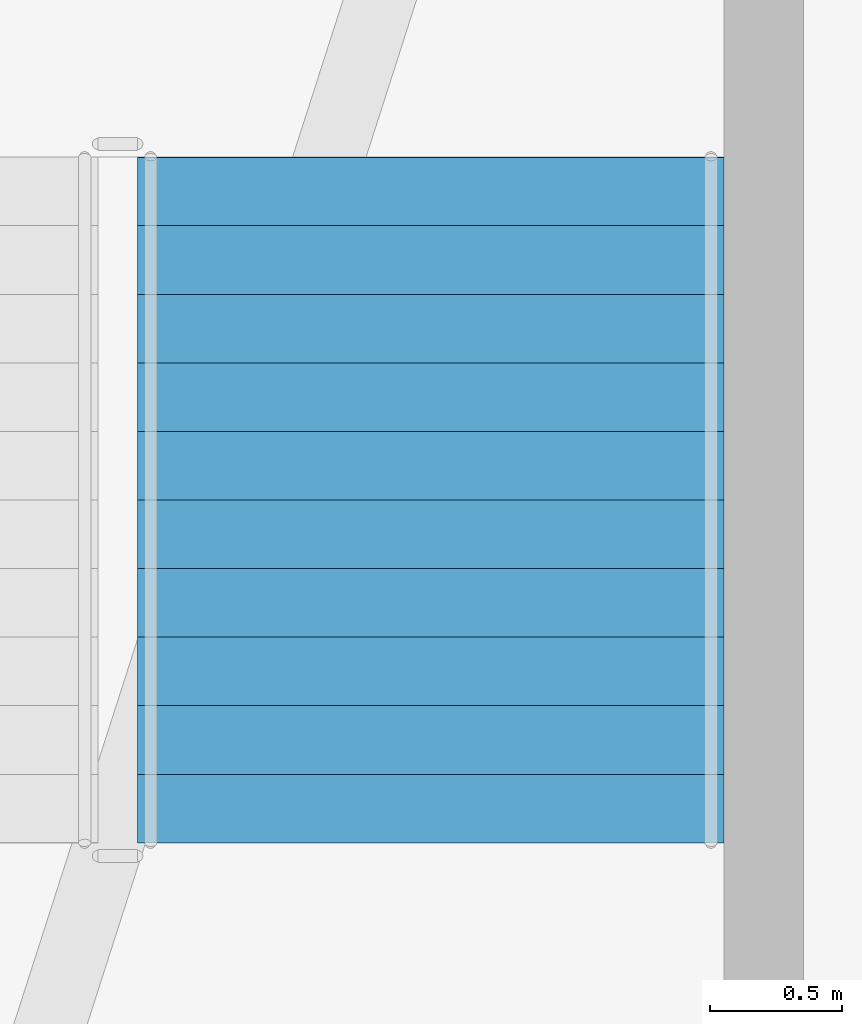
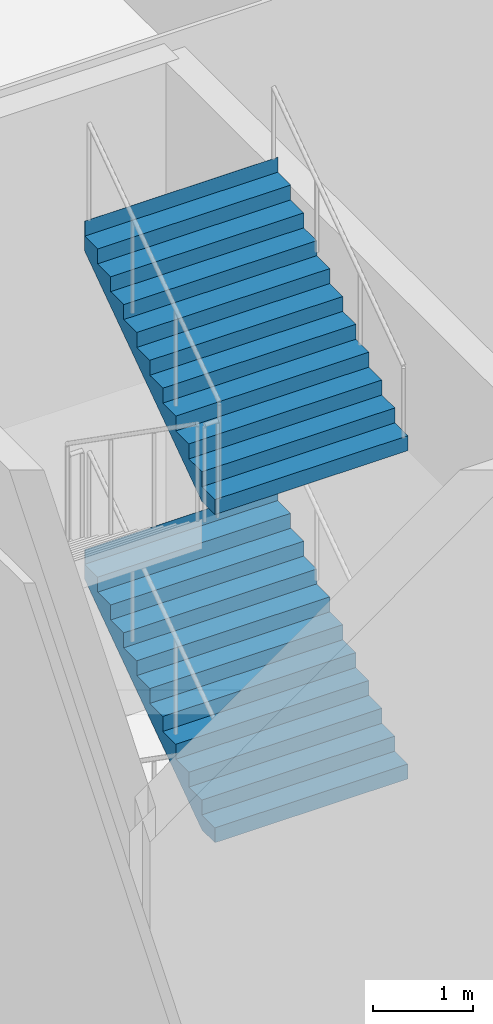
# One storey, part 22 of 36: 2 stair flights, 1 element without a shape of its own.
"""IFC4 building model written with IfcOpenShell, lengths in metres."""

from ifc_helpers import new_model, si_unit, direction, frame, origin, place, context, subcontext, project, spatial, triangles, material, type_object, element, aggregate, save


model = new_model("IFC4")

# Units and contexts
model_context = context("Model", 3, precision=1e-05, world=origin(), true_north=direction((0.0, 1.0)))
body_context = subcontext(model_context, "Body", "Model", "MODEL_VIEW")
ifc_project = project(units=[si_unit("LENGTHUNIT", "METRE"), si_unit("AREAUNIT", "SQUARE_METRE"), si_unit("VOLUMEUNIT", "CUBIC_METRE"), si_unit("PLANEANGLEUNIT", "RADIAN"), si_unit("MASSUNIT", "GRAM", prefix="KILO")], contexts=[model_context])

# Site, building, storey
site_placement = place(None, origin())
site = spatial("IfcSite", under=ifc_project, at=site_placement, CompositionType="ELEMENT")
building_placement = place(site_placement, origin())
building = spatial("IfcBuilding", under=site, at=building_placement, Name="Sahrelin Media Tower", CompositionType="ELEMENT")
storey_placement = place(building_placement, origin())
storey = spatial("IfcBuildingStorey", under=building, at=storey_placement, Name="L00", CompositionType="ELEMENT", Elevation=0.0)

# Stair, stair flights
ifc_material = material(Name="Concrete C40/50", Category="concrete")
stair_type = type_object("IfcStairType", Name="Podium stair 2225", PredefinedType="HALF_TURN_STAIR", material=ifc_material)
stair_placement = place(storey_placement, origin())
stair = element("IfcStair", 1, at=stair_placement, inside=storey, type_object=stair_type, Name="L00 Podium stair PS3", PredefinedType="HALF_TURN_STAIR")
stair_flight_type = type_object("IfcStairFlightType", Name="Stair flight 2225", PredefinedType="STRAIGHT", material=ifc_material)
stair_flight_1_placement = place(storey_placement, frame((-9.46240234375, -33.22509765625, 2.0), z_axis=(0.0, 0.0, 1.0), x_axis=(0.0, 1.0, 0.0)))
stair_flight_1 = element("IfcStairFlight", 2, at=stair_flight_1_placement, type_object=stair_flight_type, Name="PS3 flight 2", NumberOfRisers=11, NumberOfTreads=10, PredefinedType="STRAIGHT", RiserHeight=0.181818182, TreadLength=0.26, context=body_context, shape_type="Tessellation", body=[
    triangles([(0.261474609375, 1.112548828125, 0.0), (0.261474609375, 0.794677734375, 0.0), (0.261474609375, 0.476806640625, 0.0), (0.261474609375, 0.158935546875, 0.0), (0.261474609375, -0.158935546875, 0.0), (0.261474609375, -0.476806640625, 0.0), (0.261474609375, -0.794677734375, 0.0), (0.261474609375, -1.112548828125, 0.0), (2.60009765625, 1.112548828125, 1.63525390625), (2.60009765625, 0.794677734375, 1.63525390625), (2.60009765625, 0.476806640625, 1.63525390625), (2.60009765625, 0.158935546875, 1.63525390625), (2.60009765625, -0.158935546875, 1.63525390625), (2.60009765625, -0.476806640625, 1.63525390625), (2.60009765625, -0.794677734375, 1.63525390625), (2.60009765625, -1.112548828125, 1.63525390625), (2.60009765625, 1.112548828125, 2.0), (2.60009765625, 0.794677734375, 2.0), (2.60009765625, 0.476806640625, 2.0), (2.60009765625, 0.158935546875, 2.0), (2.60009765625, -0.158935546875, 2.0), (2.60009765625, -0.476806640625, 2.0), (2.60009765625, -0.794677734375, 2.0), (2.60009765625, -1.112548828125, 2.0), (2.597900390625, 1.112548828125, 2.0), (2.597900390625, 0.794677734375, 2.0), (2.597900390625, 0.476806640625, 2.0), (2.597900390625, 0.158935546875, 2.0), (2.597900390625, -0.158935546875, 2.0), (2.597900390625, -0.476806640625, 2.0), (2.597900390625, -0.794677734375, 2.0), (2.597900390625, -1.112548828125, 2.0), (2.597900390625, 1.112548828125, 1.818115234375), (2.597900390625, 0.794677734375, 1.818115234375), (2.597900390625, 0.476806640625, 1.818115234375), (2.597900390625, 0.158935546875, 1.818115234375), (2.597900390625, -0.158935546875, 1.818115234375), (2.597900390625, -0.476806640625, 1.818115234375), (2.597900390625, -0.794677734375, 1.818115234375), (2.597900390625, -1.112548828125, 1.818115234375), (2.340087890625, 1.112548828125, 1.818115234375), (2.340087890625, 0.794677734375, 1.818115234375), (2.340087890625, 0.476806640625, 1.818115234375), (2.340087890625, 0.158935546875, 1.818115234375), (2.340087890625, -0.158935546875, 1.818115234375), (2.340087890625, -0.476806640625, 1.818115234375), (2.340087890625, -0.794677734375, 1.818115234375), (2.340087890625, -1.112548828125, 1.818115234375), (2.340087890625, 1.112548828125, 1.636474609375), (2.340087890625, 0.794677734375, 1.636474609375), (2.340087890625, 0.476806640625, 1.636474609375), (2.340087890625, 0.158935546875, 1.636474609375), (2.340087890625, -0.158935546875, 1.636474609375), (2.340087890625, -0.476806640625, 1.636474609375), (2.340087890625, -0.794677734375, 1.636474609375), (2.340087890625, -1.112548828125, 1.636474609375), (2.080078125, 1.112548828125, 1.636474609375), (2.080078125, 0.794677734375, 1.636474609375), (2.080078125, 0.476806640625, 1.636474609375), (2.080078125, 0.158935546875, 1.636474609375), (2.080078125, -0.158935546875, 1.636474609375), (2.080078125, -0.476806640625, 1.636474609375), (2.080078125, -0.794677734375, 1.636474609375), (2.080078125, -1.112548828125, 1.636474609375), (2.080078125, 1.112548828125, 1.45458984375), (2.080078125, 0.794677734375, 1.45458984375), (2.080078125, 0.476806640625, 1.45458984375), (2.080078125, 0.158935546875, 1.45458984375), (2.080078125, -0.158935546875, 1.45458984375), (2.080078125, -0.476806640625, 1.45458984375), (2.080078125, -0.794677734375, 1.45458984375), (2.080078125, -1.112548828125, 1.45458984375), (1.820068359375, 1.112548828125, 1.45458984375), (1.820068359375, 0.794677734375, 1.45458984375), (1.820068359375, 0.476806640625, 1.45458984375), (1.820068359375, 0.158935546875, 1.45458984375), (1.820068359375, -0.158935546875, 1.45458984375), (1.820068359375, -0.476806640625, 1.45458984375), (1.820068359375, -0.794677734375, 1.45458984375), (1.820068359375, -1.112548828125, 1.45458984375), (1.820068359375, 1.112548828125, 1.272705078125), (1.820068359375, 0.794677734375, 1.272705078125), (1.820068359375, 0.476806640625, 1.272705078125), (1.820068359375, 0.158935546875, 1.272705078125), (1.820068359375, -0.158935546875, 1.272705078125), (1.820068359375, -0.476806640625, 1.272705078125), (1.820068359375, -0.794677734375, 1.272705078125), (1.820068359375, -1.112548828125, 1.272705078125), (1.56005859375, 1.112548828125, 1.272705078125), (1.56005859375, 0.794677734375, 1.272705078125), (1.56005859375, 0.476806640625, 1.272705078125), (1.56005859375, 0.158935546875, 1.272705078125), (1.56005859375, -0.158935546875, 1.272705078125), (1.56005859375, -0.476806640625, 1.272705078125), (1.56005859375, -0.794677734375, 1.272705078125), (1.56005859375, -1.112548828125, 1.272705078125), (1.56005859375, 1.112548828125, 1.0908203125), (1.56005859375, 0.794677734375, 1.0908203125), (1.56005859375, 0.476806640625, 1.0908203125), (1.56005859375, 0.158935546875, 1.0908203125), (1.56005859375, -0.158935546875, 1.0908203125), (1.56005859375, -0.476806640625, 1.0908203125), (1.56005859375, -0.794677734375, 1.0908203125), (1.56005859375, -1.112548828125, 1.0908203125), (1.300048828125, 1.112548828125, 1.0908203125), (1.300048828125, 0.794677734375, 1.0908203125), (1.300048828125, 0.476806640625, 1.0908203125), (1.300048828125, 0.158935546875, 1.0908203125), (1.300048828125, -0.158935546875, 1.0908203125), (1.300048828125, -0.476806640625, 1.0908203125), (1.300048828125, -0.794677734375, 1.0908203125), (1.300048828125, -1.112548828125, 1.0908203125), (1.300048828125, 1.112548828125, 0.9091796875), (1.300048828125, 0.794677734375, 0.9091796875), (1.300048828125, 0.476806640625, 0.9091796875), (1.300048828125, 0.158935546875, 0.9091796875), (1.300048828125, -0.158935546875, 0.9091796875), (1.300048828125, -0.476806640625, 0.9091796875), (1.300048828125, -0.794677734375, 0.9091796875), (1.300048828125, -1.112548828125, 0.9091796875), (1.0400390625, 1.112548828125, 0.9091796875), (1.0400390625, 0.794677734375, 0.9091796875), (1.0400390625, 0.476806640625, 0.9091796875), (1.0400390625, 0.158935546875, 0.9091796875), (1.0400390625, -0.158935546875, 0.9091796875), (1.0400390625, -0.476806640625, 0.9091796875), (1.0400390625, -0.794677734375, 0.9091796875), (1.0400390625, -1.112548828125, 0.9091796875), (1.0400390625, 1.112548828125, 0.727294921875), (1.0400390625, 0.794677734375, 0.727294921875), (1.0400390625, 0.476806640625, 0.727294921875), (1.0400390625, 0.158935546875, 0.727294921875), (1.0400390625, -0.158935546875, 0.727294921875), (1.0400390625, -0.476806640625, 0.727294921875), (1.0400390625, -0.794677734375, 0.727294921875), (1.0400390625, -1.112548828125, 0.727294921875), (0.780029296875, 1.112548828125, 0.727294921875), (0.780029296875, 0.794677734375, 0.727294921875), (0.780029296875, 0.476806640625, 0.727294921875), (0.780029296875, 0.158935546875, 0.727294921875), (0.780029296875, -0.158935546875, 0.727294921875), (0.780029296875, -0.476806640625, 0.727294921875), (0.780029296875, -0.794677734375, 0.727294921875), (0.780029296875, -1.112548828125, 0.727294921875), (0.780029296875, 1.112548828125, 0.54541015625), (0.780029296875, 0.794677734375, 0.54541015625), (0.780029296875, 0.476806640625, 0.54541015625), (0.780029296875, 0.158935546875, 0.54541015625), (0.780029296875, -0.158935546875, 0.54541015625), (0.780029296875, -0.476806640625, 0.54541015625), (0.780029296875, -0.794677734375, 0.54541015625), (0.780029296875, -1.112548828125, 0.54541015625), (0.52001953125, 1.112548828125, 0.54541015625), (0.52001953125, 0.794677734375, 0.54541015625), (0.52001953125, 0.476806640625, 0.54541015625), (0.52001953125, 0.158935546875, 0.54541015625), (0.52001953125, -0.158935546875, 0.54541015625), (0.52001953125, -0.476806640625, 0.54541015625), (0.52001953125, -0.794677734375, 0.54541015625), (0.52001953125, -1.112548828125, 0.54541015625), (0.52001953125, 1.112548828125, 0.363525390625), (0.52001953125, 0.794677734375, 0.363525390625), (0.52001953125, 0.476806640625, 0.363525390625), (0.52001953125, 0.158935546875, 0.363525390625), (0.52001953125, -0.158935546875, 0.363525390625), (0.52001953125, -0.476806640625, 0.363525390625), (0.52001953125, -0.794677734375, 0.363525390625), (0.52001953125, -1.112548828125, 0.363525390625), (0.260009765625, 1.112548828125, 0.363525390625), (0.260009765625, 0.794677734375, 0.363525390625), (0.260009765625, 0.476806640625, 0.363525390625), (0.260009765625, 0.158935546875, 0.363525390625), (0.260009765625, -0.158935546875, 0.363525390625), (0.260009765625, -0.476806640625, 0.363525390625), (0.260009765625, -0.794677734375, 0.363525390625), (0.260009765625, -1.112548828125, 0.363525390625), (0.260009765625, 1.112548828125, 0.181884765625), (0.260009765625, 0.794677734375, 0.181884765625), (0.260009765625, 0.476806640625, 0.181884765625), (0.260009765625, 0.158935546875, 0.181884765625), (0.260009765625, -0.158935546875, 0.181884765625), (0.260009765625, -0.476806640625, 0.181884765625), (0.260009765625, -0.794677734375, 0.181884765625), (0.260009765625, -1.112548828125, 0.181884765625), (0.0, 1.112548828125, 0.181884765625), (0.0, 0.794677734375, 0.181884765625), (0.0, 0.476806640625, 0.181884765625), (0.0, 0.158935546875, 0.181884765625), (0.0, -0.158935546875, 0.181884765625), (0.0, -0.476806640625, 0.181884765625), (0.0, -0.794677734375, 0.181884765625), (0.0, -1.112548828125, 0.181884765625), (0.0, 1.112548828125, 0.0), (0.0, 0.794677734375, 0.0), (0.0, 0.476806640625, 0.0), (0.0, 0.158935546875, 0.0), (0.0, -0.158935546875, 0.0), (0.0, -0.476806640625, 0.0), (0.0, -0.794677734375, 0.0), (0.0, -1.112548828125, 0.0)], [[1, 9, 10], [1, 10, 2], [2, 10, 11], [2, 11, 3], [3, 11, 12], [3, 12, 4], [4, 12, 13], [4, 13, 5], [5, 13, 14], [5, 14, 6], [6, 14, 15], [6, 15, 7], [7, 15, 16], [7, 16, 8], [9, 17, 18], [9, 18, 10], [10, 18, 19], [10, 19, 11], [11, 19, 20], [11, 20, 12], [12, 20, 21], [12, 21, 13], [13, 21, 22], [13, 22, 14], [14, 22, 23], [14, 23, 15], [15, 23, 24], [15, 24, 16], [17, 25, 26], [17, 26, 18], [18, 26, 27], [18, 27, 19], [19, 27, 28], [19, 28, 20], [20, 28, 29], [20, 29, 21], [21, 29, 30], [21, 30, 22], [22, 30, 31], [22, 31, 23], [23, 31, 32], [23, 32, 24], [25, 33, 34], [25, 34, 26], [26, 34, 35], [26, 35, 27], [27, 35, 36], [27, 36, 28], [28, 36, 37], [28, 37, 29], [29, 37, 38], [29, 38, 30], [30, 38, 39], [30, 39, 31], [31, 39, 40], [31, 40, 32], [33, 41, 42], [33, 42, 34], [34, 42, 43], [34, 43, 35], [35, 43, 44], [35, 44, 36], [36, 44, 45], [36, 45, 37], [37, 45, 46], [37, 46, 38], [38, 46, 47], [38, 47, 39], [39, 47, 48], [39, 48, 40], [41, 49, 50], [41, 50, 42], [42, 50, 51], [42, 51, 43], [43, 51, 52], [43, 52, 44], [44, 52, 53], [44, 53, 45], [45, 53, 54], [45, 54, 46], [46, 54, 55], [46, 55, 47], [47, 55, 56], [47, 56, 48], [49, 57, 58], [49, 58, 50], [50, 58, 59], [50, 59, 51], [51, 59, 60], [51, 60, 52], [52, 60, 61], [52, 61, 53], [53, 61, 62], [53, 62, 54], [54, 62, 63], [54, 63, 55], [55, 63, 64], [55, 64, 56], [57, 65, 66], [57, 66, 58], [58, 66, 67], [58, 67, 59], [59, 67, 68], [59, 68, 60], [60, 68, 69], [60, 69, 61], [61, 69, 70], [61, 70, 62], [62, 70, 71], [62, 71, 63], [63, 71, 72], [63, 72, 64], [65, 73, 74], [65, 74, 66], [66, 74, 75], [66, 75, 67], [67, 75, 76], [67, 76, 68], [68, 76, 77], [68, 77, 69], [69, 77, 78], [69, 78, 70], [70, 78, 79], [70, 79, 71], [71, 79, 80], [71, 80, 72], [73, 81, 82], [73, 82, 74], [74, 82, 83], [74, 83, 75], [75, 83, 84], [75, 84, 76], [76, 84, 85], [76, 85, 77], [77, 85, 86], [77, 86, 78], [78, 86, 87], [78, 87, 79], [79, 87, 88], [79, 88, 80], [81, 89, 90], [81, 90, 82], [82, 90, 91], [82, 91, 83], [83, 91, 92], [83, 92, 84], [84, 92, 93], [84, 93, 85], [85, 93, 94], [85, 94, 86], [86, 94, 95], [86, 95, 87], [87, 95, 96], [87, 96, 88], [89, 97, 98], [89, 98, 90], [90, 98, 99], [90, 99, 91], [91, 99, 100], [91, 100, 92], [92, 100, 101], [92, 101, 93], [93, 101, 102], [93, 102, 94], [94, 102, 103], [94, 103, 95], [95, 103, 104], [95, 104, 96], [97, 105, 106], [97, 106, 98], [98, 106, 107], [98, 107, 99], [99, 107, 108], [99, 108, 100], [100, 108, 109], [100, 109, 101], [101, 109, 110], [101, 110, 102], [102, 110, 111], [102, 111, 103], [103, 111, 112], [103, 112, 104], [105, 113, 114], [105, 114, 106], [106, 114, 115], [106, 115, 107], [107, 115, 116], [107, 116, 108], [108, 116, 117], [108, 117, 109], [109, 117, 118], [109, 118, 110], [110, 118, 119], [110, 119, 111], [111, 119, 120], [111, 120, 112], [113, 121, 122], [113, 122, 114], [114, 122, 123], [114, 123, 115], [115, 123, 124], [115, 124, 116], [116, 124, 125], [116, 125, 117], [117, 125, 126], [117, 126, 118], [118, 126, 127], [118, 127, 119], [119, 127, 128], [119, 128, 120], [121, 129, 130], [121, 130, 122], [122, 130, 131], [122, 131, 123], [123, 131, 132], [123, 132, 124], [124, 132, 133], [124, 133, 125], [125, 133, 134], [125, 134, 126], [126, 134, 135], [126, 135, 127], [127, 135, 136], [127, 136, 128], [129, 137, 138], [129, 138, 130], [130, 138, 139], [130, 139, 131], [131, 139, 140], [131, 140, 132], [132, 140, 141], [132, 141, 133], [133, 141, 142], [133, 142, 134], [134, 142, 143], [134, 143, 135], [135, 143, 144], [135, 144, 136], [137, 145, 146], [137, 146, 138], [138, 146, 147], [138, 147, 139], [139, 147, 148], [139, 148, 140], [140, 148, 149], [140, 149, 141], [141, 149, 150], [141, 150, 142], [142, 150, 151], [142, 151, 143], [143, 151, 152], [143, 152, 144], [145, 153, 154], [145, 154, 146], [146, 154, 155], [146, 155, 147], [147, 155, 156], [147, 156, 148], [148, 156, 157], [148, 157, 149], [149, 157, 158], [149, 158, 150], [150, 158, 159], [150, 159, 151], [151, 159, 160], [151, 160, 152], [153, 161, 162], [153, 162, 154], [154, 162, 163], [154, 163, 155], [155, 163, 164], [155, 164, 156], [156, 164, 165], [156, 165, 157], [157, 165, 166], [157, 166, 158], [158, 166, 167], [158, 167, 159], [159, 167, 168], [159, 168, 160], [161, 169, 170], [161, 170, 162], [162, 170, 171], [162, 171, 163], [163, 171, 172], [163, 172, 164], [164, 172, 173], [164, 173, 165], [165, 173, 174], [165, 174, 166], [166, 174, 175], [166, 175, 167], [167, 175, 176], [167, 176, 168], [169, 177, 178], [169, 178, 170], [170, 178, 179], [170, 179, 171], [171, 179, 180], [171, 180, 172], [172, 180, 181], [172, 181, 173], [173, 181, 182], [173, 182, 174], [174, 182, 183], [174, 183, 175], [175, 183, 184], [175, 184, 176], [177, 185, 186], [177, 186, 178], [178, 186, 187], [178, 187, 179], [179, 187, 188], [179, 188, 180], [180, 188, 189], [180, 189, 181], [181, 189, 190], [181, 190, 182], [182, 190, 191], [182, 191, 183], [183, 191, 192], [183, 192, 184], [185, 193, 194], [185, 194, 186], [186, 194, 195], [186, 195, 187], [187, 195, 196], [187, 196, 188], [188, 196, 197], [188, 197, 189], [189, 197, 198], [189, 198, 190], [190, 198, 199], [190, 199, 191], [191, 199, 200], [191, 200, 192], [193, 1, 2], [193, 2, 194], [194, 2, 3], [194, 3, 195], [195, 3, 4], [195, 4, 196], [196, 4, 5], [196, 5, 197], [197, 5, 6], [197, 6, 198], [198, 6, 7], [198, 7, 199], [199, 7, 8], [199, 8, 200], [184, 192, 200], [177, 193, 185], [184, 168, 176], [177, 169, 161], [168, 152, 160], [161, 153, 145], [152, 136, 144], [145, 137, 129], [136, 120, 128], [129, 121, 113], [120, 104, 112], [113, 105, 97], [104, 88, 96], [97, 89, 81], [88, 72, 80], [81, 73, 65], [72, 56, 64], [65, 57, 49], [56, 40, 48], [49, 41, 33], [40, 24, 32], [33, 25, 17], [200, 8, 184], [193, 177, 1], [40, 16, 24], [33, 17, 9], [168, 184, 8], [161, 1, 177], [56, 16, 40], [49, 33, 9], [152, 168, 8], [145, 1, 161], [72, 16, 56], [65, 49, 9], [136, 152, 8], [129, 1, 145], [88, 16, 72], [81, 65, 9], [120, 136, 8], [113, 1, 129], [104, 16, 88], [97, 81, 9], [8, 16, 120], [1, 113, 9], [120, 16, 104], [113, 97, 9]], closed=True),
])
stair_flight_2_placement = place(storey_placement, frame((-9.46240234375, -33.22509765625, 6.0), z_axis=(0.0, 0.0, 1.0), x_axis=(0.0, 1.0, 0.0)))
stair_flight_2 = element("IfcStairFlight", 3, at=stair_flight_2_placement, type_object=stair_flight_type, Name="PS3 flight 4", NumberOfRisers=11, NumberOfTreads=10, PredefinedType="STRAIGHT", RiserHeight=0.181818182, TreadLength=0.26, context=body_context, shape_type="Tessellation", body=[
    triangles([(0.261474609375, 1.112548828125, 0.0), (0.261474609375, 0.794677734375, 0.0), (0.261474609375, 0.476806640625, 0.0), (0.261474609375, 0.158935546875, 0.0), (0.261474609375, -0.158935546875, 0.0), (0.261474609375, -0.476806640625, 0.0), (0.261474609375, -0.794677734375, 0.0), (0.261474609375, -1.112548828125, 0.0), (2.60009765625, 1.112548828125, 1.63525390625), (2.60009765625, 0.794677734375, 1.63525390625), (2.60009765625, 0.476806640625, 1.63525390625), (2.60009765625, 0.158935546875, 1.63525390625), (2.60009765625, -0.158935546875, 1.63525390625), (2.60009765625, -0.476806640625, 1.63525390625), (2.60009765625, -0.794677734375, 1.63525390625), (2.60009765625, -1.112548828125, 1.63525390625), (2.60009765625, 1.112548828125, 2.0), (2.60009765625, 0.794677734375, 2.0), (2.60009765625, 0.476806640625, 2.0), (2.60009765625, 0.158935546875, 2.0), (2.60009765625, -0.158935546875, 2.0), (2.60009765625, -0.476806640625, 2.0), (2.60009765625, -0.794677734375, 2.0), (2.60009765625, -1.112548828125, 2.0), (2.597900390625, 1.112548828125, 2.0), (2.597900390625, 0.794677734375, 2.0), (2.597900390625, 0.476806640625, 2.0), (2.597900390625, 0.158935546875, 2.0), (2.597900390625, -0.158935546875, 2.0), (2.597900390625, -0.476806640625, 2.0), (2.597900390625, -0.794677734375, 2.0), (2.597900390625, -1.112548828125, 2.0), (2.597900390625, 1.112548828125, 1.818115234375), (2.597900390625, 0.794677734375, 1.818115234375), (2.597900390625, 0.476806640625, 1.818115234375), (2.597900390625, 0.158935546875, 1.818115234375), (2.597900390625, -0.158935546875, 1.818115234375), (2.597900390625, -0.476806640625, 1.818115234375), (2.597900390625, -0.794677734375, 1.818115234375), (2.597900390625, -1.112548828125, 1.818115234375), (2.340087890625, 1.112548828125, 1.818115234375), (2.340087890625, 0.794677734375, 1.818115234375), (2.340087890625, 0.476806640625, 1.818115234375), (2.340087890625, 0.158935546875, 1.818115234375), (2.340087890625, -0.158935546875, 1.818115234375), (2.340087890625, -0.476806640625, 1.818115234375), (2.340087890625, -0.794677734375, 1.818115234375), (2.340087890625, -1.112548828125, 1.818115234375), (2.340087890625, 1.112548828125, 1.636474609375), (2.340087890625, 0.794677734375, 1.636474609375), (2.340087890625, 0.476806640625, 1.636474609375), (2.340087890625, 0.158935546875, 1.636474609375), (2.340087890625, -0.158935546875, 1.636474609375), (2.340087890625, -0.476806640625, 1.636474609375), (2.340087890625, -0.794677734375, 1.636474609375), (2.340087890625, -1.112548828125, 1.636474609375), (2.080078125, 1.112548828125, 1.636474609375), (2.080078125, 0.794677734375, 1.636474609375), (2.080078125, 0.476806640625, 1.636474609375), (2.080078125, 0.158935546875, 1.636474609375), (2.080078125, -0.158935546875, 1.636474609375), (2.080078125, -0.476806640625, 1.636474609375), (2.080078125, -0.794677734375, 1.636474609375), (2.080078125, -1.112548828125, 1.636474609375), (2.080078125, 1.112548828125, 1.45458984375), (2.080078125, 0.794677734375, 1.45458984375), (2.080078125, 0.476806640625, 1.45458984375), (2.080078125, 0.158935546875, 1.45458984375), (2.080078125, -0.158935546875, 1.45458984375), (2.080078125, -0.476806640625, 1.45458984375), (2.080078125, -0.794677734375, 1.45458984375), (2.080078125, -1.112548828125, 1.45458984375), (1.820068359375, 1.112548828125, 1.45458984375), (1.820068359375, 0.794677734375, 1.45458984375), (1.820068359375, 0.476806640625, 1.45458984375), (1.820068359375, 0.158935546875, 1.45458984375), (1.820068359375, -0.158935546875, 1.45458984375), (1.820068359375, -0.476806640625, 1.45458984375), (1.820068359375, -0.794677734375, 1.45458984375), (1.820068359375, -1.112548828125, 1.45458984375), (1.820068359375, 1.112548828125, 1.272705078125), (1.820068359375, 0.794677734375, 1.272705078125), (1.820068359375, 0.476806640625, 1.272705078125), (1.820068359375, 0.158935546875, 1.272705078125), (1.820068359375, -0.158935546875, 1.272705078125), (1.820068359375, -0.476806640625, 1.272705078125), (1.820068359375, -0.794677734375, 1.272705078125), (1.820068359375, -1.112548828125, 1.272705078125), (1.56005859375, 1.112548828125, 1.272705078125), (1.56005859375, 0.794677734375, 1.272705078125), (1.56005859375, 0.476806640625, 1.272705078125), (1.56005859375, 0.158935546875, 1.272705078125), (1.56005859375, -0.158935546875, 1.272705078125), (1.56005859375, -0.476806640625, 1.272705078125), (1.56005859375, -0.794677734375, 1.272705078125), (1.56005859375, -1.112548828125, 1.272705078125), (1.56005859375, 1.112548828125, 1.0908203125), (1.56005859375, 0.794677734375, 1.0908203125), (1.56005859375, 0.476806640625, 1.0908203125), (1.56005859375, 0.158935546875, 1.0908203125), (1.56005859375, -0.158935546875, 1.0908203125), (1.56005859375, -0.476806640625, 1.0908203125), (1.56005859375, -0.794677734375, 1.0908203125), (1.56005859375, -1.112548828125, 1.0908203125), (1.300048828125, 1.112548828125, 1.0908203125), (1.300048828125, 0.794677734375, 1.0908203125), (1.300048828125, 0.476806640625, 1.0908203125), (1.300048828125, 0.158935546875, 1.0908203125), (1.300048828125, -0.158935546875, 1.0908203125), (1.300048828125, -0.476806640625, 1.0908203125), (1.300048828125, -0.794677734375, 1.0908203125), (1.300048828125, -1.112548828125, 1.0908203125), (1.300048828125, 1.112548828125, 0.9091796875), (1.300048828125, 0.794677734375, 0.9091796875), (1.300048828125, 0.476806640625, 0.9091796875), (1.300048828125, 0.158935546875, 0.9091796875), (1.300048828125, -0.158935546875, 0.9091796875), (1.300048828125, -0.476806640625, 0.9091796875), (1.300048828125, -0.794677734375, 0.9091796875), (1.300048828125, -1.112548828125, 0.9091796875), (1.0400390625, 1.112548828125, 0.9091796875), (1.0400390625, 0.794677734375, 0.9091796875), (1.0400390625, 0.476806640625, 0.9091796875), (1.0400390625, 0.158935546875, 0.9091796875), (1.0400390625, -0.158935546875, 0.9091796875), (1.0400390625, -0.476806640625, 0.9091796875), (1.0400390625, -0.794677734375, 0.9091796875), (1.0400390625, -1.112548828125, 0.9091796875), (1.0400390625, 1.112548828125, 0.727294921875), (1.0400390625, 0.794677734375, 0.727294921875), (1.0400390625, 0.476806640625, 0.727294921875), (1.0400390625, 0.158935546875, 0.727294921875), (1.0400390625, -0.158935546875, 0.727294921875), (1.0400390625, -0.476806640625, 0.727294921875), (1.0400390625, -0.794677734375, 0.727294921875), (1.0400390625, -1.112548828125, 0.727294921875), (0.780029296875, 1.112548828125, 0.727294921875), (0.780029296875, 0.794677734375, 0.727294921875), (0.780029296875, 0.476806640625, 0.727294921875), (0.780029296875, 0.158935546875, 0.727294921875), (0.780029296875, -0.158935546875, 0.727294921875), (0.780029296875, -0.476806640625, 0.727294921875), (0.780029296875, -0.794677734375, 0.727294921875), (0.780029296875, -1.112548828125, 0.727294921875), (0.780029296875, 1.112548828125, 0.54541015625), (0.780029296875, 0.794677734375, 0.54541015625), (0.780029296875, 0.476806640625, 0.54541015625), (0.780029296875, 0.158935546875, 0.54541015625), (0.780029296875, -0.158935546875, 0.54541015625), (0.780029296875, -0.476806640625, 0.54541015625), (0.780029296875, -0.794677734375, 0.54541015625), (0.780029296875, -1.112548828125, 0.54541015625), (0.52001953125, 1.112548828125, 0.54541015625), (0.52001953125, 0.794677734375, 0.54541015625), (0.52001953125, 0.476806640625, 0.54541015625), (0.52001953125, 0.158935546875, 0.54541015625), (0.52001953125, -0.158935546875, 0.54541015625), (0.52001953125, -0.476806640625, 0.54541015625), (0.52001953125, -0.794677734375, 0.54541015625), (0.52001953125, -1.112548828125, 0.54541015625), (0.52001953125, 1.112548828125, 0.363525390625), (0.52001953125, 0.794677734375, 0.363525390625), (0.52001953125, 0.476806640625, 0.363525390625), (0.52001953125, 0.158935546875, 0.363525390625), (0.52001953125, -0.158935546875, 0.363525390625), (0.52001953125, -0.476806640625, 0.363525390625), (0.52001953125, -0.794677734375, 0.363525390625), (0.52001953125, -1.112548828125, 0.363525390625), (0.260009765625, 1.112548828125, 0.363525390625), (0.260009765625, 0.794677734375, 0.363525390625), (0.260009765625, 0.476806640625, 0.363525390625), (0.260009765625, 0.158935546875, 0.363525390625), (0.260009765625, -0.158935546875, 0.363525390625), (0.260009765625, -0.476806640625, 0.363525390625), (0.260009765625, -0.794677734375, 0.363525390625), (0.260009765625, -1.112548828125, 0.363525390625), (0.260009765625, 1.112548828125, 0.181884765625), (0.260009765625, 0.794677734375, 0.181884765625), (0.260009765625, 0.476806640625, 0.181884765625), (0.260009765625, 0.158935546875, 0.181884765625), (0.260009765625, -0.158935546875, 0.181884765625), (0.260009765625, -0.476806640625, 0.181884765625), (0.260009765625, -0.794677734375, 0.181884765625), (0.260009765625, -1.112548828125, 0.181884765625), (0.0, 1.112548828125, 0.181884765625), (0.0, 0.794677734375, 0.181884765625), (0.0, 0.476806640625, 0.181884765625), (0.0, 0.158935546875, 0.181884765625), (0.0, -0.158935546875, 0.181884765625), (0.0, -0.476806640625, 0.181884765625), (0.0, -0.794677734375, 0.181884765625), (0.0, -1.112548828125, 0.181884765625), (0.0, 1.112548828125, 0.0), (0.0, 0.794677734375, 0.0), (0.0, 0.476806640625, 0.0), (0.0, 0.158935546875, 0.0), (0.0, -0.158935546875, 0.0), (0.0, -0.476806640625, 0.0), (0.0, -0.794677734375, 0.0), (0.0, -1.112548828125, 0.0)], [[1, 9, 10], [1, 10, 2], [2, 10, 11], [2, 11, 3], [3, 11, 12], [3, 12, 4], [4, 12, 13], [4, 13, 5], [5, 13, 14], [5, 14, 6], [6, 14, 15], [6, 15, 7], [7, 15, 16], [7, 16, 8], [9, 17, 18], [9, 18, 10], [10, 18, 19], [10, 19, 11], [11, 19, 20], [11, 20, 12], [12, 20, 21], [12, 21, 13], [13, 21, 22], [13, 22, 14], [14, 22, 23], [14, 23, 15], [15, 23, 24], [15, 24, 16], [17, 25, 26], [17, 26, 18], [18, 26, 27], [18, 27, 19], [19, 27, 28], [19, 28, 20], [20, 28, 29], [20, 29, 21], [21, 29, 30], [21, 30, 22], [22, 30, 31], [22, 31, 23], [23, 31, 32], [23, 32, 24], [25, 33, 34], [25, 34, 26], [26, 34, 35], [26, 35, 27], [27, 35, 36], [27, 36, 28], [28, 36, 37], [28, 37, 29], [29, 37, 38], [29, 38, 30], [30, 38, 39], [30, 39, 31], [31, 39, 40], [31, 40, 32], [33, 41, 42], [33, 42, 34], [34, 42, 43], [34, 43, 35], [35, 43, 44], [35, 44, 36], [36, 44, 45], [36, 45, 37], [37, 45, 46], [37, 46, 38], [38, 46, 47], [38, 47, 39], [39, 47, 48], [39, 48, 40], [41, 49, 50], [41, 50, 42], [42, 50, 51], [42, 51, 43], [43, 51, 52], [43, 52, 44], [44, 52, 53], [44, 53, 45], [45, 53, 54], [45, 54, 46], [46, 54, 55], [46, 55, 47], [47, 55, 56], [47, 56, 48], [49, 57, 58], [49, 58, 50], [50, 58, 59], [50, 59, 51], [51, 59, 60], [51, 60, 52], [52, 60, 61], [52, 61, 53], [53, 61, 62], [53, 62, 54], [54, 62, 63], [54, 63, 55], [55, 63, 64], [55, 64, 56], [57, 65, 66], [57, 66, 58], [58, 66, 67], [58, 67, 59], [59, 67, 68], [59, 68, 60], [60, 68, 69], [60, 69, 61], [61, 69, 70], [61, 70, 62], [62, 70, 71], [62, 71, 63], [63, 71, 72], [63, 72, 64], [65, 73, 74], [65, 74, 66], [66, 74, 75], [66, 75, 67], [67, 75, 76], [67, 76, 68], [68, 76, 77], [68, 77, 69], [69, 77, 78], [69, 78, 70], [70, 78, 79], [70, 79, 71], [71, 79, 80], [71, 80, 72], [73, 81, 82], [73, 82, 74], [74, 82, 83], [74, 83, 75], [75, 83, 84], [75, 84, 76], [76, 84, 85], [76, 85, 77], [77, 85, 86], [77, 86, 78], [78, 86, 87], [78, 87, 79], [79, 87, 88], [79, 88, 80], [81, 89, 90], [81, 90, 82], [82, 90, 91], [82, 91, 83], [83, 91, 92], [83, 92, 84], [84, 92, 93], [84, 93, 85], [85, 93, 94], [85, 94, 86], [86, 94, 95], [86, 95, 87], [87, 95, 96], [87, 96, 88], [89, 97, 98], [89, 98, 90], [90, 98, 99], [90, 99, 91], [91, 99, 100], [91, 100, 92], [92, 100, 101], [92, 101, 93], [93, 101, 102], [93, 102, 94], [94, 102, 103], [94, 103, 95], [95, 103, 104], [95, 104, 96], [97, 105, 106], [97, 106, 98], [98, 106, 107], [98, 107, 99], [99, 107, 108], [99, 108, 100], [100, 108, 109], [100, 109, 101], [101, 109, 110], [101, 110, 102], [102, 110, 111], [102, 111, 103], [103, 111, 112], [103, 112, 104], [105, 113, 114], [105, 114, 106], [106, 114, 115], [106, 115, 107], [107, 115, 116], [107, 116, 108], [108, 116, 117], [108, 117, 109], [109, 117, 118], [109, 118, 110], [110, 118, 119], [110, 119, 111], [111, 119, 120], [111, 120, 112], [113, 121, 122], [113, 122, 114], [114, 122, 123], [114, 123, 115], [115, 123, 124], [115, 124, 116], [116, 124, 125], [116, 125, 117], [117, 125, 126], [117, 126, 118], [118, 126, 127], [118, 127, 119], [119, 127, 128], [119, 128, 120], [121, 129, 130], [121, 130, 122], [122, 130, 131], [122, 131, 123], [123, 131, 132], [123, 132, 124], [124, 132, 133], [124, 133, 125], [125, 133, 134], [125, 134, 126], [126, 134, 135], [126, 135, 127], [127, 135, 136], [127, 136, 128], [129, 137, 138], [129, 138, 130], [130, 138, 139], [130, 139, 131], [131, 139, 140], [131, 140, 132], [132, 140, 141], [132, 141, 133], [133, 141, 142], [133, 142, 134], [134, 142, 143], [134, 143, 135], [135, 143, 144], [135, 144, 136], [137, 145, 146], [137, 146, 138], [138, 146, 147], [138, 147, 139], [139, 147, 148], [139, 148, 140], [140, 148, 149], [140, 149, 141], [141, 149, 150], [141, 150, 142], [142, 150, 151], [142, 151, 143], [143, 151, 152], [143, 152, 144], [145, 153, 154], [145, 154, 146], [146, 154, 155], [146, 155, 147], [147, 155, 156], [147, 156, 148], [148, 156, 157], [148, 157, 149], [149, 157, 158], [149, 158, 150], [150, 158, 159], [150, 159, 151], [151, 159, 160], [151, 160, 152], [153, 161, 162], [153, 162, 154], [154, 162, 163], [154, 163, 155], [155, 163, 164], [155, 164, 156], [156, 164, 165], [156, 165, 157], [157, 165, 166], [157, 166, 158], [158, 166, 167], [158, 167, 159], [159, 167, 168], [159, 168, 160], [161, 169, 170], [161, 170, 162], [162, 170, 171], [162, 171, 163], [163, 171, 172], [163, 172, 164], [164, 172, 173], [164, 173, 165], [165, 173, 174], [165, 174, 166], [166, 174, 175], [166, 175, 167], [167, 175, 176], [167, 176, 168], [169, 177, 178], [169, 178, 170], [170, 178, 179], [170, 179, 171], [171, 179, 180], [171, 180, 172], [172, 180, 181], [172, 181, 173], [173, 181, 182], [173, 182, 174], [174, 182, 183], [174, 183, 175], [175, 183, 184], [175, 184, 176], [177, 185, 186], [177, 186, 178], [178, 186, 187], [178, 187, 179], [179, 187, 188], [179, 188, 180], [180, 188, 189], [180, 189, 181], [181, 189, 190], [181, 190, 182], [182, 190, 191], [182, 191, 183], [183, 191, 192], [183, 192, 184], [185, 193, 194], [185, 194, 186], [186, 194, 195], [186, 195, 187], [187, 195, 196], [187, 196, 188], [188, 196, 197], [188, 197, 189], [189, 197, 198], [189, 198, 190], [190, 198, 199], [190, 199, 191], [191, 199, 200], [191, 200, 192], [193, 1, 2], [193, 2, 194], [194, 2, 3], [194, 3, 195], [195, 3, 4], [195, 4, 196], [196, 4, 5], [196, 5, 197], [197, 5, 6], [197, 6, 198], [198, 6, 7], [198, 7, 199], [199, 7, 8], [199, 8, 200], [184, 192, 200], [177, 193, 185], [184, 168, 176], [177, 169, 161], [168, 152, 160], [161, 153, 145], [152, 136, 144], [145, 137, 129], [136, 120, 128], [129, 121, 113], [120, 104, 112], [113, 105, 97], [104, 88, 96], [97, 89, 81], [88, 72, 80], [81, 73, 65], [72, 56, 64], [65, 57, 49], [56, 40, 48], [49, 41, 33], [40, 24, 32], [33, 25, 17], [200, 8, 184], [193, 177, 1], [40, 16, 24], [33, 17, 9], [168, 184, 8], [161, 1, 177], [56, 16, 40], [49, 33, 9], [152, 168, 8], [145, 1, 161], [72, 16, 56], [65, 49, 9], [136, 152, 8], [129, 1, 145], [88, 16, 72], [81, 65, 9], [120, 136, 8], [113, 1, 129], [104, 16, 88], [97, 81, 9], [8, 16, 120], [1, 113, 9], [120, 16, 104], [113, 97, 9]], closed=True),
])
aggregate(stair, [stair_flight_1, stair_flight_2])

save(model, "model.ifc")
